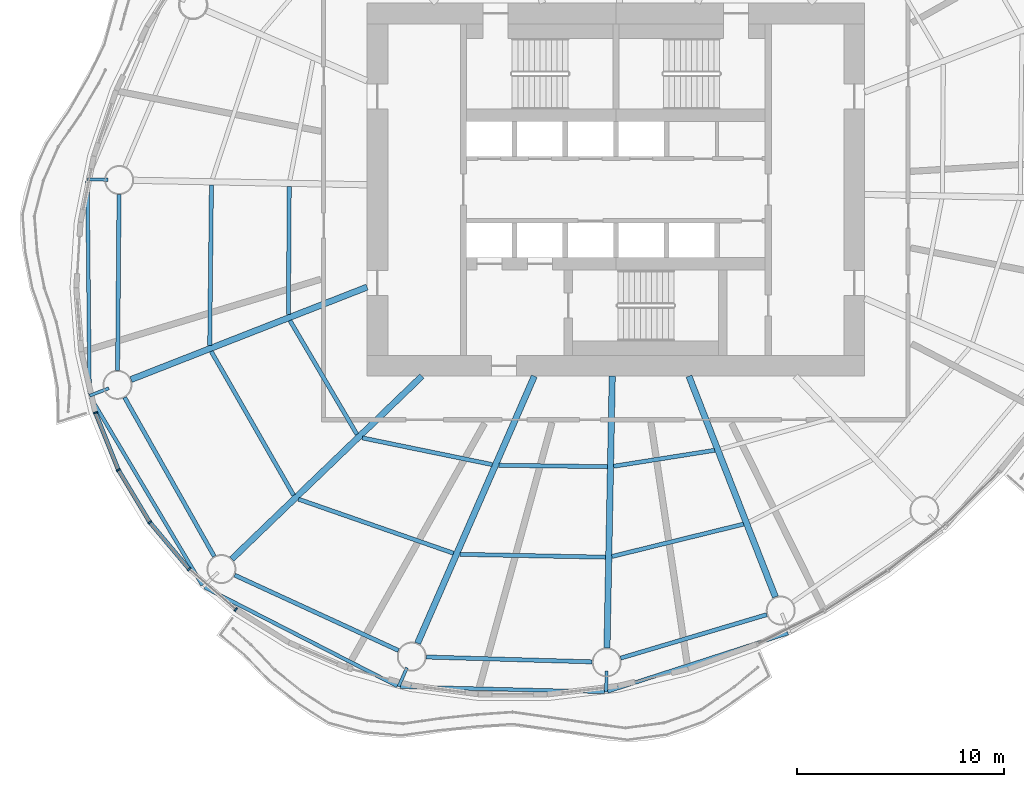
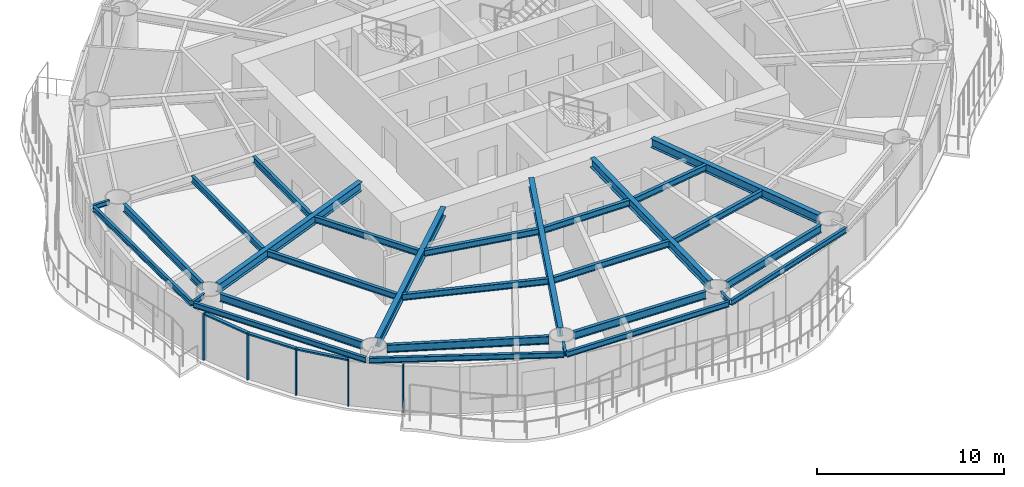
# One storey, part 2 of 15: 29 beams, 8 members, 4 elements without a shape of their own.
"""IFC4 building model written with IfcOpenShell, lengths in metres."""

from ifc_helpers import new_model, si_unit, direction, frame, origin, origin_2d, place, context, subcontext, project, spatial, rectangle, i_section, extrude, material, material_profile, profile_set, type_object, element, aggregate, save


model = new_model("IFC4")

# Units and contexts
model_context = context("Model", 3, precision=1e-05, world=origin(), true_north=direction((0.0, 1.0)))
body_context = subcontext(model_context, "Body", "Model", "MODEL_VIEW")
ifc_project = project(units=[si_unit("LENGTHUNIT", "METRE"), si_unit("AREAUNIT", "SQUARE_METRE"), si_unit("VOLUMEUNIT", "CUBIC_METRE"), si_unit("PLANEANGLEUNIT", "RADIAN"), si_unit("MASSUNIT", "GRAM", prefix="KILO")], contexts=[model_context])

# Site, building, storey
site_placement = place(None, origin())
site = spatial("IfcSite", under=ifc_project, at=site_placement, CompositionType="ELEMENT")
building_placement = place(site_placement, origin())
building = spatial("IfcBuilding", under=site, at=building_placement, Name="Vermilion Reach Broadcast Tower", CompositionType="ELEMENT")
storey_placement = place(building_placement, frame((0.0, 0.0, 175.800048828125)))
storey = spatial("IfcBuildingStorey", under=building, at=storey_placement, Name="L42", CompositionType="ELEMENT", Elevation=175.800048828125)

# Beams
ifc_material_1 = material(Name="Steel S355J2", Category="steel")
ifc_material_profile_1 = material_profile(ifc_material_1, i_section(OverallWidth=0.175048828125, OverallDepth=0.35009765625, WebThickness=0.007080078125, FlangeThickness=0.010986328125, at=origin_2d()), Name="S355J2 HN 350x175x7x11")
ifc_profile_set_1 = profile_set([ifc_material_profile_1], Name="Steel S355J2")
beam_type_1 = type_object("IfcBeamType", Name="EB3 HN 350x175x7x11", PredefinedType="BEAM", material=ifc_profile_set_1)
beam_1_placement = place(storey_placement, frame((-31.48876953125, 0.4189453125, 3.224853515625), z_axis=(0.010067400691, -0.999949322438, 0.0), x_axis=(0.999949322438, 0.010067400691, 0.0)))
element("IfcBeam", 1, at=beam_1_placement, inside=storey, type_object=beam_type_1, Name="Edge beam EB3-07", PredefinedType="BEAM", context=body_context, shape_type="SweptSolid", body=[
    extrude(i_section(OverallWidth=0.175048828125, OverallDepth=0.35009765625, WebThickness=0.007080078125, FlangeThickness=0.010986328125, at=origin_2d()), origin(), (0.0, 0.0, 1.0), 10.2822265625),
])
beam_2_placement = place(storey_placement, frame((-31.345458984375, -10.00830078125, 3.224853515625), z_axis=(0.511490363244, -0.859289013259, 0.0), x_axis=(0.859289013259, 0.511490363244, 0.0)))
element("IfcBeam", 2, at=beam_2_placement, inside=storey, type_object=beam_type_1, Name="Edge beam EB3-08", PredefinedType="BEAM", context=body_context, shape_type="SweptSolid", body=[
    extrude(i_section(OverallWidth=0.175048828125, OverallDepth=0.35009765625, WebThickness=0.007080078125, FlangeThickness=0.010986328125, at=origin_2d()), origin(), (0.0, 0.0, 1.0), 10.5595703125),
])
beam_3_placement = place(storey_placement, frame((-25.834228515625, -19.184326171875, 3.224853515625), z_axis=(0.890033177094, -0.455895759656, 0.0), x_axis=(0.455895759656, 0.890033177094, 0.0)))
element("IfcBeam", 3, at=beam_3_placement, inside=storey, type_object=beam_type_1, Name="Edge beam EB3-09", PredefinedType="BEAM", context=body_context, shape_type="SweptSolid", body=[
    extrude(i_section(OverallWidth=0.175048828125, OverallDepth=0.35009765625, WebThickness=0.007080078125, FlangeThickness=0.010986328125, at=origin_2d()), origin(), (0.0, 0.0, 1.0), 10.43505859375),
])
beam_4_placement = place(storey_placement, frame((-16.398681640625, -23.977783203125, 3.224853515625), z_axis=(0.999682723206, -0.025188348971, 0.0), x_axis=(0.025188348971, 0.999682723206, 0.0)))
element("IfcBeam", 4, at=beam_4_placement, inside=storey, type_object=beam_type_1, Name="Edge beam EB3-10", PredefinedType="BEAM", context=body_context, shape_type="SweptSolid", body=[
    extrude(i_section(OverallWidth=0.175048828125, OverallDepth=0.35009765625, WebThickness=0.007080078125, FlangeThickness=0.010986328125, at=origin_2d()), origin(), (0.0, 0.0, 1.0), 9.857421875),
])
beam_5_placement = place(storey_placement, frame((-6.39404296875, -24.20361328125, 3.224853515625), z_axis=(0.951576556043, 0.307411870281, 0.0), x_axis=(-0.307411870281, 0.951576556043, 0.0)))
element("IfcBeam", 5, at=beam_5_placement, inside=storey, type_object=beam_type_1, Name="Edge beam EB3-11", PredefinedType="BEAM", context=body_context, shape_type="SweptSolid", body=[
    extrude(i_section(OverallWidth=0.175048828125, OverallDepth=0.35009765625, WebThickness=0.007080078125, FlangeThickness=0.010986328125, at=origin_2d()), origin(), (0.0, 0.0, 1.0), 9.13623046875),
])
ifc_material_2 = material(Name="Steel S355J2", Category="steel")
ifc_material_profile_2 = material_profile(ifc_material_2, i_section(OverallWidth=0.300048828125, OverallDepth=0.587890625, WebThickness=0.011962890625, FlangeThickness=0.02001953125, at=origin_2d()), Name="S355J2 HM 588x300x12x20")
ifc_profile_set_2 = profile_set([ifc_material_profile_2], Name="Steel S355J2")
beam_type_2 = type_object("IfcBeamType", Name="G3 HM 588x300x12x20", PredefinedType="BEAM", material=ifc_profile_set_2)
beam_6_placement = place(storey_placement, frame((-18.0, -4.700439453125, 3.10595703125), z_axis=(-0.931124635714, -0.364701128004, 0.0), x_axis=(0.364701128004, -0.931124635714, 0.0)))
element("IfcBeam", 6, at=beam_6_placement, inside=storey, type_object=beam_type_2, Name="Girder G3-08", PredefinedType="BEAM", context=body_context, shape_type="SweptSolid", body=[
    extrude(i_section(OverallWidth=0.300048828125, OverallDepth=0.587890625, WebThickness=0.011962890625, FlangeThickness=0.02001953125, at=origin_2d()), origin(), (0.0, 0.0, 1.0), 12.231201171875),
])
beam_7_placement = place(storey_placement, frame((-15.355712890625, -9.0, 3.10595703125), z_axis=(-0.720670374476, -0.693277874559, 0.0), x_axis=(0.693277874559, -0.720670374476, 0.0)))
element("IfcBeam", 7, at=beam_7_placement, inside=storey, type_object=beam_type_2, Name="Girder G3-09", PredefinedType="BEAM", context=body_context, shape_type="SweptSolid", body=[
    extrude(i_section(OverallWidth=0.300048828125, OverallDepth=0.587890625, WebThickness=0.011962890625, FlangeThickness=0.02001953125, at=origin_2d()), origin(), (0.0, 0.0, 1.0), 12.718505859375),
])
beam_8_placement = place(storey_placement, frame((-9.933837890625, -9.0, 3.10595703125), z_axis=(-0.400519113205, -0.916288404356, 0.0), x_axis=(0.916288404356, -0.400519113205, 0.0)))
element("IfcBeam", 8, at=beam_8_placement, inside=storey, type_object=beam_type_2, Name="Girder G3-10", PredefinedType="BEAM", context=body_context, shape_type="SweptSolid", body=[
    extrude(i_section(OverallWidth=0.300048828125, OverallDepth=0.587890625, WebThickness=0.011962890625, FlangeThickness=0.02001953125, at=origin_2d()), origin(), (0.0, 0.0, 1.0), 14.0595703125),
])
beam_9_placement = place(storey_placement, frame((-6.17431640625, -9.0, 3.10595703125), z_axis=(-0.019378372481, -0.99981222171, 0.0), x_axis=(0.99981222171, -0.019378372481, 0.0)))
element("IfcBeam", 9, at=beam_9_placement, inside=storey, type_object=beam_type_2, Name="Girder G3-11", PredefinedType="BEAM", context=body_context, shape_type="SweptSolid", body=[
    extrude(i_section(OverallWidth=0.300048828125, OverallDepth=0.587890625, WebThickness=0.011962890625, FlangeThickness=0.02001953125, at=origin_2d()), origin(), (0.0, 0.0, 1.0), 13.1025390625),
])
beam_10_placement = place(storey_placement, frame((-2.474853515625, -9.0, 3.10595703125), z_axis=(0.364715649973, -0.931118947646, 0.0), x_axis=(0.931118947646, 0.364715649973, 0.0)))
element("IfcBeam", 10, at=beam_10_placement, inside=storey, type_object=beam_type_2, Name="Girder G3-12", PredefinedType="BEAM", context=body_context, shape_type="SweptSolid", body=[
    extrude(i_section(OverallWidth=0.300048828125, OverallDepth=0.587890625, WebThickness=0.011962890625, FlangeThickness=0.02001953125, at=origin_2d()), origin(), (0.0, 0.0, 1.0), 11.436767578125),
])
ifc_material_3 = material(Name="Steel S355J2", Category="steel")
ifc_material_profile_3 = material_profile(ifc_material_3, i_section(OverallWidth=0.14990234375, OverallDepth=0.300048828125, WebThickness=0.006591796875, FlangeThickness=0.009033203125, at=origin_2d()), Name="S355J2 HN 300x150x6.5x9")
ifc_profile_set_3 = profile_set([ifc_material_profile_3], Name="Steel S355J2")
beam_type_3 = type_object("IfcBeamType", Name="GS3 HN 300x150x6.5x9", PredefinedType="BEAM", material=ifc_profile_set_3)
for number, where, z_axis, x_axis, name in (
    (11, (-30.48974609375, 0.474609375, 3.25), (-0.999813964781, 0.019288230334, 0.0), (-0.019288230334, -0.999813964781, 0.0), "Cantilever stub GS3-07"),
    (12, (-30.453369140625, -9.578125, 3.25), (-0.931113051526, -0.364730702407, 0.0), (0.364730702407, -0.931113051526, 0.0), "Cantilever stub GS3-08"),
    (13, (-16.079345703125, -23.0595703125, 3.25), (-0.400421736837, -0.916330962408, 0.0), (0.916330962408, -0.400421736837, 0.0), "Cantilever stub GS3-10"),
    (14, (-6.449951171875, -23.228271484375, 3.25), (-0.019532292583, -0.999809226576, 0.0), (0.999809226576, -0.019532292583, 0.0), "Cantilever stub GS3-11"),
):
    element("IfcBeam", number, at=place(storey_placement, frame(where, z_axis=z_axis, x_axis=x_axis)), inside=storey, type_object=beam_type_3, Name=name, PredefinedType="BEAM", context=body_context, shape_type="SweptSolid", body=[
        extrude(i_section(OverallWidth=0.14990234375, OverallDepth=0.300048828125, WebThickness=0.006591796875, FlangeThickness=0.009033203125, at=origin_2d()), origin(), (0.0, 0.0, 1.0), 1.0),
    ])
ifc_material_4 = material(Name="Steel S355J2", Category="steel")
ifc_material_profile_4 = material_profile(ifc_material_4, i_section(OverallWidth=0.199951171875, OverallDepth=0.5, WebThickness=0.010009765625, FlangeThickness=0.01611328125, at=origin_2d()), Name="S355J2 HN 500x200x10x16")
ifc_profile_set_4 = profile_set([ifc_material_profile_4], Name="Steel S355J2")
beam_type_4 = type_object("IfcBeamType", Name="RB3 HN 500x200x10x16", PredefinedType="BEAM", material=ifc_profile_set_4)
beam_11_placement = place(storey_placement, frame((-29.965087890625, -0.23583984375, 3.14990234375), z_axis=(-0.008204232036, -0.999966344722, 0.0), x_axis=(0.999966344722, -0.008204232036, 0.0)))
element("IfcBeam", 15, at=beam_11_placement, inside=storey, type_object=beam_type_4, Name="Ring beam RB3-07", PredefinedType="BEAM", context=body_context, shape_type="SweptSolid", body=[
    extrude(i_section(OverallWidth=0.199951171875, OverallDepth=0.5, WebThickness=0.010009765625, FlangeThickness=0.01611328125, at=origin_2d()), origin(), (0.0, 0.0, 1.0), 8.48095703125),
])
beam_12_placement = place(storey_placement, frame((-29.696533203125, -10.026123046875, 3.14990234375), z_axis=(0.491466825026, -0.870896296869, 0.0), x_axis=(0.870896296869, 0.491466825026, 0.0)))
element("IfcBeam", 16, at=beam_12_placement, inside=storey, type_object=beam_type_4, Name="Ring beam RB3-08", PredefinedType="BEAM", context=body_context, shape_type="SweptSolid", body=[
    extrude(i_section(OverallWidth=0.199951171875, OverallDepth=0.5, WebThickness=0.010009765625, FlangeThickness=0.01611328125, at=origin_2d()), origin(), (0.0, 0.0, 1.0), 8.803466796875),
])
beam_13_placement = place(storey_placement, frame((-24.389892578125, -18.594970703125, 3.14990234375), z_axis=(0.908546241769, -0.417784306272, 0.0), x_axis=(0.417784306272, 0.908546241769, 0.0)))
element("IfcBeam", 17, at=beam_13_placement, inside=storey, type_object=beam_type_4, Name="Ring beam RB3-09", PredefinedType="BEAM", context=body_context, shape_type="SweptSolid", body=[
    extrude(i_section(OverallWidth=0.199951171875, OverallDepth=0.5, WebThickness=0.010009765625, FlangeThickness=0.01611328125, at=origin_2d()), origin(), (0.0, 0.0, 1.0), 8.704833984375),
])
beam_14_placement = place(storey_placement, frame((-15.1455078125, -22.544677734375, 3.14990234375), z_axis=(0.999569781146, -0.029330063427, 0.0), x_axis=(0.029330063427, 0.999569781146, 0.0)))
element("IfcBeam", 18, at=beam_14_placement, inside=storey, type_object=beam_type_4, Name="Ring beam RB3-10", PredefinedType="BEAM", context=body_context, shape_type="SweptSolid", body=[
    extrude(i_section(OverallWidth=0.199951171875, OverallDepth=0.5, WebThickness=0.010009765625, FlangeThickness=0.01611328125, at=origin_2d()), origin(), (0.0, 0.0, 1.0), 8.007568359375),
])
beam_15_placement = place(storey_placement, frame((-5.770751953125, -22.60009765625, 3.14990234375), z_axis=(0.958416970322, 0.285371531516, 0.0), x_axis=(-0.285371531516, 0.958416970322, 0.0)))
element("IfcBeam", 19, at=beam_15_placement, inside=storey, type_object=beam_type_4, Name="Ring beam RB3-11", PredefinedType="BEAM", context=body_context, shape_type="SweptSolid", body=[
    extrude(i_section(OverallWidth=0.199951171875, OverallDepth=0.5, WebThickness=0.010009765625, FlangeThickness=0.01611328125, at=origin_2d()), origin(), (0.0, 0.0, 1.0), 7.357421875),
])
ifc_material_5 = material(Name="Steel S355J2", Category="steel")
ifc_material_profile_5 = material_profile(ifc_material_5, i_section(OverallWidth=0.199951171875, OverallDepth=0.39990234375, WebThickness=0.008056640625, FlangeThickness=0.012939453125, at=origin_2d()), Name="S355J2 HN 400x200x8x13")
ifc_profile_set_5 = profile_set([ifc_material_profile_5], Name="Steel S355J2")
beam_type_5 = type_object("IfcBeamType", Name="SB3 HN 400x200x8x13", PredefinedType="BEAM", material=ifc_profile_set_5)
beam_16_placement = place(storey_placement, frame((-21.754150390625, 0.1552734375, 3.199951171875), z_axis=(-0.006635449147, -0.999977985165, 0.0), x_axis=(0.999977985165, -0.006635449147, 0.0)))
element("IfcBeam", 20, at=beam_16_placement, inside=storey, type_object=beam_type_5, Name="Secondary beam SB3-07-1", PredefinedType="BEAM", context=body_context, shape_type="SweptSolid", body=[
    extrude(i_section(OverallWidth=0.199951171875, OverallDepth=0.39990234375, WebThickness=0.008056640625, FlangeThickness=0.012939453125, at=origin_2d()), origin(), (0.0, 0.0, 1.0), 6.181396484375),
])
beam_17_placement = place(storey_placement, frame((-25.508056640625, 0.22802734375, 3.199951171875), z_axis=(-0.010691708672, -0.999942842049, 0.0), x_axis=(0.999942842049, -0.010691708672, 0.0)))
element("IfcBeam", 21, at=beam_17_placement, inside=storey, type_object=beam_type_5, Name="Secondary beam SB3-07-2", PredefinedType="BEAM", context=body_context, shape_type="SweptSolid", body=[
    extrude(i_section(OverallWidth=0.199951171875, OverallDepth=0.39990234375, WebThickness=0.008056640625, FlangeThickness=0.012939453125, at=origin_2d()), origin(), (0.0, 0.0, 1.0), 7.740966796875),
])
beam_18_placement = place(storey_placement, frame((-21.71923828125, -6.318115234375, 3.199951171875), z_axis=(0.507249643612, -0.861799163991, 0.0), x_axis=(0.861799163991, 0.507249643612, 0.0)))
element("IfcBeam", 22, at=beam_18_placement, inside=storey, type_object=beam_type_5, Name="Secondary beam SB3-08-1", PredefinedType="BEAM", context=body_context, shape_type="SweptSolid", body=[
    extrude(i_section(OverallWidth=0.199951171875, OverallDepth=0.39990234375, WebThickness=0.008056640625, FlangeThickness=0.012939453125, at=origin_2d()), origin(), (0.0, 0.0, 1.0), 6.3681640625),
])
beam_19_placement = place(storey_placement, frame((-25.51708984375, -7.805908203125, 3.199951171875), z_axis=(0.497026503115, -0.867735360119, 0.0), x_axis=(0.867735360119, 0.497026503115, 0.0)))
element("IfcBeam", 23, at=beam_19_placement, inside=storey, type_object=beam_type_5, Name="Secondary beam SB3-08-2", PredefinedType="BEAM", context=body_context, shape_type="SweptSolid", body=[
    extrude(i_section(OverallWidth=0.199951171875, OverallDepth=0.39990234375, WebThickness=0.008056640625, FlangeThickness=0.012939453125, at=origin_2d()), origin(), (0.0, 0.0, 1.0), 7.995849609375),
])
beam_20_placement = place(storey_placement, frame((-18.232666015625, -11.975830078125, 3.199951171875), z_axis=(0.97956765607, -0.201114910391, 0.0), x_axis=(0.201114910391, 0.97956765607, 0.0)))
element("IfcBeam", 24, at=beam_20_placement, inside=storey, type_object=beam_type_5, Name="Secondary beam SB3-09-1", PredefinedType="BEAM", context=body_context, shape_type="SweptSolid", body=[
    extrude(i_section(OverallWidth=0.199951171875, OverallDepth=0.39990234375, WebThickness=0.008056640625, FlangeThickness=0.012939453125, at=origin_2d()), origin(), (0.0, 0.0, 1.0), 6.40234375),
])
beam_21_placement = place(storey_placement, frame((-21.307373046875, -14.93359375, 3.199951171875), z_axis=(0.94431696779, -0.329037177754, 0.0), x_axis=(0.329037177754, 0.94431696779, 0.0)))
element("IfcBeam", 25, at=beam_21_placement, inside=storey, type_object=beam_type_5, Name="Secondary beam SB3-09-2", PredefinedType="BEAM", context=body_context, shape_type="SweptSolid", body=[
    extrude(i_section(OverallWidth=0.199951171875, OverallDepth=0.39990234375, WebThickness=0.008056640625, FlangeThickness=0.012939453125, at=origin_2d()), origin(), (0.0, 0.0, 1.0), 7.91845703125),
])
beam_22_placement = place(storey_placement, frame((-11.648193359375, -13.29638671875, 3.199951171875), z_axis=(0.999914891843, -0.013046419838, 0.0), x_axis=(0.013046419838, 0.999914891843, 0.0)))
element("IfcBeam", 26, at=beam_22_placement, inside=storey, type_object=beam_type_5, Name="Secondary beam SB3-10-1", PredefinedType="BEAM", context=body_context, shape_type="SweptSolid", body=[
    extrude(i_section(OverallWidth=0.199951171875, OverallDepth=0.39990234375, WebThickness=0.008056640625, FlangeThickness=0.012939453125, at=origin_2d()), origin(), (0.0, 0.0, 1.0), 5.23974609375),
])
beam_23_placement = place(storey_placement, frame((-13.525634765625, -17.591552734375, 3.199951171875), z_axis=(0.999804929321, -0.019751033045, 0.0), x_axis=(0.019751033045, 0.999804929321, 0.0)))
element("IfcBeam", 27, at=beam_23_placement, inside=storey, type_object=beam_type_5, Name="Secondary beam SB3-10-2", PredefinedType="BEAM", context=body_context, shape_type="SweptSolid", body=[
    extrude(i_section(OverallWidth=0.199951171875, OverallDepth=0.39990234375, WebThickness=0.008056640625, FlangeThickness=0.012939453125, at=origin_2d()), origin(), (0.0, 0.0, 1.0), 7.033447265625),
])
beam_24_placement = place(storey_placement, frame((-6.1083984375, -13.343017578125, 3.199951171875), z_axis=(0.987756142208, 0.15600578044, 0.0), x_axis=(-0.15600578044, 0.987756142208, 0.0)))
element("IfcBeam", 28, at=beam_24_placement, inside=storey, type_object=beam_type_5, Name="Secondary beam SB3-11-1", PredefinedType="BEAM", context=body_context, shape_type="SweptSolid", body=[
    extrude(i_section(OverallWidth=0.199951171875, OverallDepth=0.39990234375, WebThickness=0.008056640625, FlangeThickness=0.012939453125, at=origin_2d()), origin(), (0.0, 0.0, 1.0), 4.9326171875),
])
beam_25_placement = place(storey_placement, frame((-6.19287109375, -17.6962890625, 3.199951171875), z_axis=(0.971111691931, 0.238625400566, 0.0), x_axis=(-0.238625400566, 0.971111691931, 0.0)))
element("IfcBeam", 29, at=beam_25_placement, inside=storey, type_object=beam_type_5, Name="Secondary beam SB3-11-2", PredefinedType="BEAM", context=body_context, shape_type="SweptSolid", body=[
    extrude(i_section(OverallWidth=0.199951171875, OverallDepth=0.39990234375, WebThickness=0.008056640625, FlangeThickness=0.012939453125, at=origin_2d()), origin(), (0.0, 0.0, 1.0), 6.540771484375),
])

# Curtain wall, member
ifc_material_6 = material(Name="Low-e laminated clear glass in aluminium frame", Category="aluminium")
curtain_wall_type = type_object("IfcCurtainWallType", Name="Slot curtain wall", PredefinedType="NOTDEFINED", material=ifc_material_6)
placement = place(storey_placement, origin())
curtain_wall_1 = element("IfcCurtainWall", 30, at=placement, inside=storey, type_object=curtain_wall_type, Name="Slot curtain wall L42 22", PredefinedType="NOTDEFINED")
ifc_material_7 = material(Name="Anodised aluminium", Category="aluminium")
ifc_material_profile_6 = material_profile(ifc_material_7, rectangle(XDim=0.199951171875, YDim=0.080078125, at=origin_2d()), Name="Slot mullion 80 x 200")
ifc_profile_set_6 = profile_set([ifc_material_profile_6], Name="Anodised aluminium")
member_type_1 = type_object("IfcMemberType", Name="Slot mullion 80 x 200", PredefinedType="MULLION", material=ifc_profile_set_6)
member_1_placement = place(storey_placement, frame((-31.104736328125, -10.75927734375, 0.0), z_axis=(0.0, 0.0, 1.0), x_axis=(0.953997027268, 0.299816063551, 0.0)))
member_1 = element("IfcMember", 31, at=member_1_placement, type_object=member_type_1, Name="Slot mullion L42 22", PredefinedType="MULLION", context=body_context, shape_type="SweptSolid", body=[
    extrude(rectangle(XDim=0.199951171875, YDim=0.080078125, at=origin_2d()), origin(), (0.0, 0.0, 1.0), 3.050048828125),
])

curtain_wall_2 = element("IfcCurtainWall", 32, at=placement, inside=storey, type_object=curtain_wall_type, Name="Slot curtain wall L42 23", PredefinedType="NOTDEFINED")
member_2_placement = place(storey_placement, frame((-29.996826171875, -13.518798828125, 0.0), z_axis=(0.0, 0.0, 1.0), x_axis=(0.895625500713, 0.444808905568, 0.0)))
member_2 = element("IfcMember", 33, at=member_2_placement, type_object=member_type_1, Name="Slot mullion L42 23", PredefinedType="MULLION", context=body_context, shape_type="SweptSolid", body=[
    extrude(rectangle(XDim=0.199951171875, YDim=0.080078125, at=origin_2d()), origin(), (0.0, 0.0, 1.0), 3.050048828125),
])

curtain_wall_3 = element("IfcCurtainWall", 34, at=placement, inside=storey, type_object=curtain_wall_type, Name="Slot curtain wall L42 24", PredefinedType="NOTDEFINED")
member_3_placement = place(storey_placement, frame((-28.480712890625, -16.04736328125, 0.0), z_axis=(0.0, 0.0, 1.0), x_axis=(0.813912806796, 0.580987041967, 0.0)))
member_3 = element("IfcMember", 35, at=member_3_placement, type_object=member_type_1, Name="Slot mullion L42 24", PredefinedType="MULLION", context=body_context, shape_type="SweptSolid", body=[
    extrude(rectangle(XDim=0.199951171875, YDim=0.080078125, at=origin_2d()), origin(), (0.0, 0.0, 1.0), 3.050048828125),
])

# Curtain wall, members
curtain_wall_4 = element("IfcCurtainWall", 36, at=placement, inside=storey, type_object=curtain_wall_type, Name="Slot curtain wall L42 25", PredefinedType="NOTDEFINED")
member_4_placement = place(storey_placement, frame((-26.58203125, -18.302490234375, 0.0), z_axis=(0.0, 0.0, 1.0), x_axis=(0.711671990024, 0.702511906387, 0.0)))
member_4 = element("IfcMember", 37, at=member_4_placement, type_object=member_type_1, Name="Slot mullion L42 25", PredefinedType="MULLION", context=body_context, shape_type="SweptSolid", body=[
    extrude(rectangle(XDim=0.199951171875, YDim=0.080078125, at=origin_2d()), origin(), (0.0, 0.0, 1.0), 3.050048828125),
])
member_5_placement = place(storey_placement, frame((-24.332275390625, -20.2470703125, 0.0), z_axis=(0.0, 0.0, 1.0), x_axis=(0.593510982234, 0.804825890468, 0.0)))
member_5 = element("IfcMember", 38, at=member_5_placement, type_object=member_type_1, Name="Slot mullion L42 26", PredefinedType="MULLION", context=body_context, shape_type="SweptSolid", body=[
    extrude(rectangle(XDim=0.199951171875, YDim=0.080078125, at=origin_2d()), origin(), (0.0, 0.0, 1.0), 3.050048828125),
])
aggregate(curtain_wall_4, [member_4, member_5])

# Member
ifc_material_8 = material(Name="Anodised aluminium", Category="aluminium")
ifc_material_profile_7 = material_profile(ifc_material_8, rectangle(XDim=0.199951171875, YDim=0.10009765625, at=origin_2d()), Name="Slot transom 200 x 100")
ifc_profile_set_7 = profile_set([ifc_material_profile_7], Name="Anodised aluminium")
member_type_2 = type_object("IfcMemberType", Name="Slot transom 200 x 100", PredefinedType="USERDEFINED", material=ifc_profile_set_7)
member_6_placement = place(storey_placement, frame((-31.08984375, -10.79638671875, 3.0), z_axis=(0.37258320402, -0.927998790992, 0.0), x_axis=(0.927998790992, 0.37258320402, 0.0)))
member_6 = element("IfcMember", 39, at=member_6_placement, type_object=member_type_2, Name="Slot transom L42 22.1", ObjectType="TRANSOM", PredefinedType="USERDEFINED", context=body_context, shape_type="SweptSolid", body=[
    extrude(rectangle(XDim=0.199951171875, YDim=0.10009765625, at=origin_2d()), origin(), (0.0, 0.0, 1.0), 2.8935546875),
])

aggregate(curtain_wall_1, [member_1, member_6])

member_7_placement = place(storey_placement, frame((-29.976318359375, -13.552978515625, 3.0), z_axis=(0.514207821721, -0.857665620205, 0.0), x_axis=(0.857665620205, 0.514207821721, 0.0)))
member_7 = element("IfcMember", 40, at=member_7_placement, type_object=member_type_2, Name="Slot transom L42 23.1", ObjectType="TRANSOM", PredefinedType="USERDEFINED", context=body_context, shape_type="SweptSolid", body=[
    extrude(rectangle(XDim=0.199951171875, YDim=0.10009765625, at=origin_2d()), origin(), (0.0, 0.0, 1.0), 2.8681640625),
])

aggregate(curtain_wall_2, [member_2, member_7])

member_8_placement = place(storey_placement, frame((-28.455078125, -16.077880859375, 3.0), z_axis=(0.644036131929, -0.764995072383, 0.0), x_axis=(0.764995072383, 0.644036131929, 0.0)))
member_8 = element("IfcMember", 41, at=member_8_placement, type_object=member_type_2, Name="Slot transom L42 24.1", ObjectType="TRANSOM", PredefinedType="USERDEFINED", context=body_context, shape_type="SweptSolid", body=[
    extrude(rectangle(XDim=0.199951171875, YDim=0.10009765625, at=origin_2d()), origin(), (0.0, 0.0, 1.0), 2.8681640625),
])

aggregate(curtain_wall_3, [member_3, member_8])

save(model, "model.ifc")
